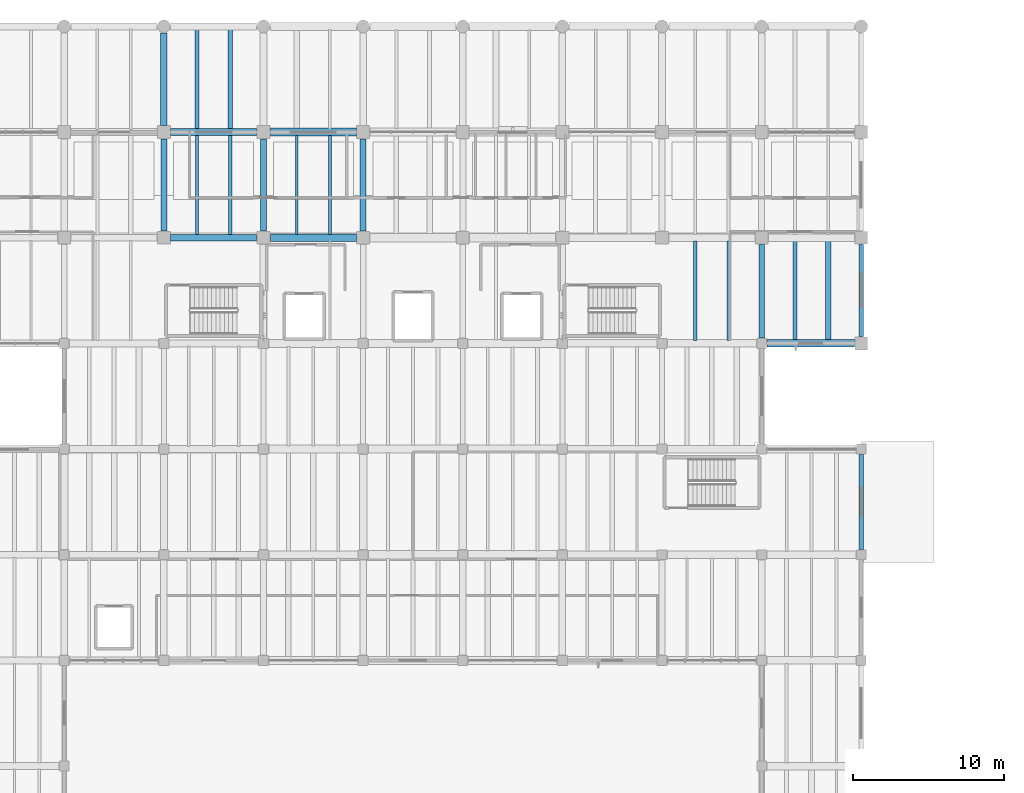
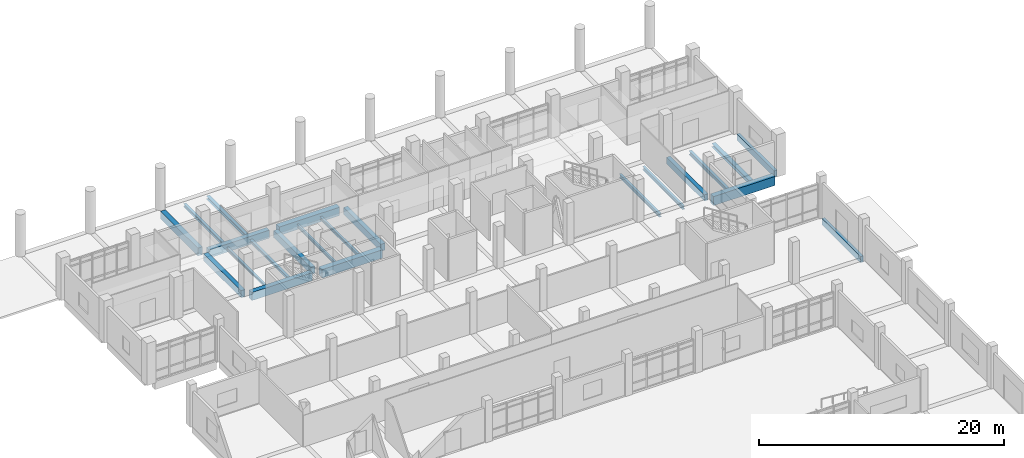
# One storey, part 28 of 69: 22 beams.
"""IFC4 building model written with IfcOpenShell, lengths in metres."""

from ifc_helpers import new_model, si_unit, direction, frame, origin, origin_2d, place, context, subcontext, project, spatial, rectangle, i_section, extrude, material, material_profile, profile_set, type_object, element, save


model = new_model("IFC4")

# Units and contexts
model_context = context("Model", 3, precision=1e-05, world=origin(), true_north=direction((0.0, 1.0)))
body_context = subcontext(model_context, "Body", "Model", "MODEL_VIEW")
ifc_project = project(units=[si_unit("LENGTHUNIT", "METRE"), si_unit("AREAUNIT", "SQUARE_METRE"), si_unit("VOLUMEUNIT", "CUBIC_METRE"), si_unit("PLANEANGLEUNIT", "RADIAN"), si_unit("MASSUNIT", "GRAM", prefix="KILO")], contexts=[model_context])

# Site, building, storey
site_placement = place(None, origin())
site = spatial("IfcSite", under=ifc_project, at=site_placement, CompositionType="ELEMENT")
building_placement = place(site_placement, origin())
building = spatial("IfcBuilding", under=site, at=building_placement, Name="Ciguamira Faculty of Natural Sciences", CompositionType="ELEMENT")
storey_placement = place(building_placement, origin())
storey = spatial("IfcBuildingStorey", under=building, at=storey_placement, Name="L00", CompositionType="ELEMENT", Elevation=0.0)

# Beams
ifc_material_1 = material(Name="Concrete C40/50", Category="concrete")
ifc_material_profile_1 = material_profile(ifc_material_1, rectangle(XDim=0.5, YDim=0.89990234375, at=origin_2d()), Name="RC-BM-500X900")
ifc_profile_set_1 = profile_set([ifc_material_profile_1], Name="Concrete C40/50")
beam_type_1 = type_object("IfcBeamType", Name="RCBeam_BG-03_RC-BM-500X900", PredefinedType="BEAM", material=ifc_profile_set_1)
beam_1_placement = place(storey_placement, frame((110.449951171875, 94.0, -0.449951171875), z_axis=(1.0, 0.0, 0.0), x_axis=(0.0, 1.0, 0.0)))
element("IfcBeam", 1, at=beam_1_placement, inside=storey, type_object=beam_type_1, Name="L00 RC girder EW-0164", PredefinedType="BEAM", context=body_context, shape_type="SweptSolid", body=[
    extrude(rectangle(XDim=0.5, YDim=0.89990234375, at=origin_2d()), origin(), (0.0, 0.0, 1.0), 5.800048828125),
])
ifc_material_profile_2 = material_profile(ifc_material_1, rectangle(XDim=0.449951171875, YDim=0.800048828125, at=origin_2d()), Name="RC-BM-450X800")
ifc_profile_set_2 = profile_set([ifc_material_profile_2], Name="Concrete C40/50")
beam_type_2 = type_object("IfcBeamType", Name="RCBeam_BG-05_RC-BM-450X800", PredefinedType="BEAM", material=ifc_profile_set_2)
for number, where, z_axis, x_axis, name in (
    (2, (70.949951171875, 101.0, -0.39990234375), (1.0, 0.0, 0.0), (0.0, 1.0, 0.0), "L00 RC girder EW-0167"),
    (3, (70.949951171875, 108.0, -0.39990234375), (1.0, 0.0, 0.0), (0.0, 1.0, 0.0), "L00 RC girder EW-0176"),
):
    element("IfcBeam", number, at=place(storey_placement, frame(where, z_axis=z_axis, x_axis=x_axis)), inside=storey, type_object=beam_type_2, Name=name, PredefinedType="BEAM", context=body_context, shape_type="SweptSolid", body=[
        extrude(rectangle(XDim=0.449951171875, YDim=0.800048828125, at=origin_2d()), origin(), (0.0, 0.0, 1.0), 5.699951171875),
    ])
ifc_material_profile_3 = material_profile(ifc_material_1, rectangle(XDim=0.43994140625, YDim=0.780029296875, at=origin_2d()), Name="RC-BM-440X780")
ifc_profile_set_3 = profile_set([ifc_material_profile_3], Name="Concrete C40/50")
beam_type_3 = type_object("IfcBeamType", Name="RCBeam_BG-06_RC-BM-440X780", PredefinedType="BEAM", material=ifc_profile_set_3)
beam_2_placement = place(storey_placement, frame((70.5, 108.449951171875, -0.389892578125), z_axis=(0.0, 1.0, 0.0), x_axis=(-1.0, 0.0, 0.0)))
element("IfcBeam", 4, at=beam_2_placement, inside=storey, type_object=beam_type_3, Name="L00 girder NS-0253", PredefinedType="BEAM", context=body_context, shape_type="SweptSolid", body=[
    extrude(rectangle(XDim=0.43994140625, YDim=0.780029296875, at=origin_2d()), origin(), (0.0, 0.0, 1.0), 6.10009765625),
])
ifc_material_profile_4 = material_profile(ifc_material_1, rectangle(XDim=0.39990234375, YDim=0.699951171875, at=origin_2d()), Name="RC-BM-400X700")
ifc_profile_set_4 = profile_set([ifc_material_profile_4], Name="Concrete C40/50")
beam_type_4 = type_object("IfcBeamType", Name="RCBeam_BG-08_RC-BM-400X700", PredefinedType="BEAM", material=ifc_profile_set_4)
for number, where, z_axis, x_axis, name in (
    (5, (70.5, 101.449951171875, -0.35009765625), (0.0, 1.0, 0.0), (-1.0, 0.0, 0.0), "L00 girder NS-0252"),
    (6, (77.10009765625, 101.449951171875, -0.35009765625), (0.0, 1.0, 0.0), (-1.0, 0.0, 0.0), "L00 girder NS-0263"),
    (7, (83.699951171875, 101.449951171875, -0.35009765625), (0.0, 1.0, 0.0), (-1.0, 0.0, 0.0), "L00 girder NS-0275"),
):
    element("IfcBeam", number, at=place(storey_placement, frame(where, z_axis=z_axis, x_axis=x_axis)), inside=storey, type_object=beam_type_4, Name=name, PredefinedType="BEAM", context=body_context, shape_type="SweptSolid", body=[
        extrude(rectangle(XDim=0.39990234375, YDim=0.699951171875, at=origin_2d()), origin(), (0.0, 0.0, 1.0), 6.10009765625),
    ])
ifc_material_profile_5 = material_profile(ifc_material_1, rectangle(XDim=0.360107421875, YDim=0.639892578125, at=origin_2d()), Name="RC-BM-360X640")
ifc_profile_set_5 = profile_set([ifc_material_profile_5], Name="Concrete C40/50")
beam_type_5 = type_object("IfcBeamType", Name="RCBeam_BG-10_RC-BM-360X640", PredefinedType="BEAM", material=ifc_profile_set_5)
beam_3_placement = place(storey_placement, frame((110.10009765625, 94.35009765625, -0.320068359375), z_axis=(0.0, 1.0, 0.0), x_axis=(-1.0, 0.0, 0.0)))
element("IfcBeam", 8, at=beam_3_placement, inside=storey, type_object=beam_type_5, Name="L00 girder NS-0322", PredefinedType="BEAM", context=body_context, shape_type="SweptSolid", body=[
    extrude(rectangle(XDim=0.360107421875, YDim=0.639892578125, at=origin_2d()), origin(), (0.0, 0.0, 1.0), 6.199951171875),
])
ifc_material_2 = material(Name="Precast concrete C40/50", Category="concrete")
ifc_material_profile_6 = material_profile(ifc_material_2, rectangle(XDim=0.280029296875, YDim=0.6201171875, at=origin_2d()), Name="RC-SP-280X620")
ifc_profile_set_6 = profile_set([ifc_material_profile_6], Name="Precast concrete C40/50")
beam_type_6 = type_object("IfcBeamType", Name="RCBeam_SP-01_RC-SP-280X620", PredefinedType="SPANDREL", material=ifc_profile_set_6)
beam_4_placement = place(storey_placement, frame((116.699951171875, 80.35009765625, -0.31005859375), z_axis=(0.0, 1.0, 0.0), x_axis=(-1.0, 0.0, 0.0)))
element("IfcBeam", 9, at=beam_4_placement, inside=storey, type_object=beam_type_6, Name="L00 girder NS-0334", PredefinedType="SPANDREL", context=body_context, shape_type="SweptSolid", body=[
    extrude(rectangle(XDim=0.280029296875, YDim=0.6201171875, at=origin_2d()), origin(), (0.0, 0.0, 1.0), 6.2998046875),
])
beam_5_placement = place(storey_placement, frame((116.699951171875, 94.449951171875, -0.31005859375), z_axis=(0.0, 1.0, 0.0), x_axis=(-1.0, 0.0, 0.0)))
element("IfcBeam", 10, at=beam_5_placement, inside=storey, type_object=beam_type_6, Name="L00 girder NS-0335", PredefinedType="SPANDREL", context=body_context, shape_type="SweptSolid", body=[
    extrude(rectangle(XDim=0.280029296875, YDim=0.6201171875, at=origin_2d()), origin(), (0.0, 0.0, 1.0), 6.10009765625),
])
ifc_material_profile_7 = material_profile(ifc_material_1, rectangle(XDim=0.52001953125, YDim=0.840087890625, at=origin_2d()), Name="RC-TB-520X840")
ifc_profile_set_7 = profile_set([ifc_material_profile_7], Name="Concrete C40/50")
beam_type_7 = type_object("IfcBeamType", Name="RCBeam_TB-02_RC-TB-520X840", PredefinedType="T_BEAM", material=ifc_profile_set_7)
for number, where, z_axis, x_axis, name in (
    (11, (77.550048828125, 101.0, -0.419921875), (1.0, 0.0, 0.0), (0.0, 1.0, 0.0), "L00 RC girder EW-0168"),
    (12, (77.550048828125, 108.0, -0.419921875), (1.0, 0.0, 0.0), (0.0, 1.0, 0.0), "L00 RC girder EW-0177"),
):
    element("IfcBeam", number, at=place(storey_placement, frame(where, z_axis=z_axis, x_axis=x_axis)), inside=storey, type_object=beam_type_7, Name=name, PredefinedType="T_BEAM", context=body_context, shape_type="SweptSolid", body=[
        extrude(rectangle(XDim=0.52001953125, YDim=0.840087890625, at=origin_2d()), origin(), (0.0, 0.0, 1.0), 5.699951171875),
    ])
ifc_material_3 = material(Name="Steel ASTM A992 Grade 50", Category="steel")
ifc_material_profile_8 = material_profile(ifc_material_3, i_section(OverallWidth=0.2021484375, OverallDepth=0.2470703125, WebThickness=0.00732421875, FlangeThickness=0.010986328125, at=origin_2d()), Name="W10X33")
ifc_profile_set_8 = profile_set([ifc_material_profile_8], Name="Steel ASTM A992 Grade 50")
beam_type_8 = type_object("IfcBeamType", Name="SteelJoist_SJ-02_W10X33", PredefinedType="JOIST", material=ifc_profile_set_8)
beam_6_placement = place(storey_placement, frame((72.699951171875, 101.18505859375, -0.423583984375), z_axis=(0.0, 1.0, 0.0), x_axis=(-1.0, 0.0, 0.0)))
element("IfcBeam", 13, at=beam_6_placement, inside=storey, type_object=beam_type_8, Name="L00 composite steel joist 00142", PredefinedType="JOIST", context=body_context, shape_type="SweptSolid", body=[
    extrude(i_section(OverallWidth=0.2021484375, OverallDepth=0.2470703125, WebThickness=0.00732421875, FlangeThickness=0.010986328125, at=origin_2d()), origin(), (0.0, 0.0, 1.0), 6.6298828125),
])
ifc_material_profile_9 = material_profile(ifc_material_3, i_section(OverallWidth=0.25390625, OverallDepth=0.25390625, WebThickness=0.008544921875, FlangeThickness=0.01416015625, at=origin_2d()), Name="W10X49")
ifc_profile_set_9 = profile_set([ifc_material_profile_9], Name="Steel ASTM A992 Grade 50")
beam_type_9 = type_object("IfcBeamType", Name="SteelJoist_SJ-03_W10X49", PredefinedType="JOIST", material=ifc_profile_set_9)
beam_7_placement = place(storey_placement, frame((74.89990234375, 101.18505859375, -0.427001953125), z_axis=(0.0, 1.0, 0.0), x_axis=(-1.0, 0.0, 0.0)))
element("IfcBeam", 14, at=beam_7_placement, inside=storey, type_object=beam_type_9, Name="L00 composite steel joist 00143", PredefinedType="JOIST", context=body_context, shape_type="SweptSolid", body=[
    extrude(i_section(OverallWidth=0.25390625, OverallDepth=0.25390625, WebThickness=0.008544921875, FlangeThickness=0.01416015625, at=origin_2d()), origin(), (0.0, 0.0, 1.0), 6.6298828125),
])
ifc_material_profile_10 = material_profile(ifc_material_3, i_section(OverallWidth=0.16650390625, OverallDepth=0.3173828125, WebThickness=0.007568359375, FlangeThickness=0.01318359375, at=origin_2d()), Name="W12X35")
ifc_profile_set_10 = profile_set([ifc_material_profile_10], Name="Steel ASTM A992 Grade 50")
beam_type_10 = type_object("IfcBeamType", Name="SteelJoist_SJ-05_W12X35", PredefinedType="JOIST", material=ifc_profile_set_10)
beam_8_placement = place(storey_placement, frame((79.300048828125, 101.219970703125, -0.458740234375), z_axis=(0.0, 1.0, 0.0), x_axis=(-1.0, 0.0, 0.0)))
element("IfcBeam", 15, at=beam_8_placement, inside=storey, type_object=beam_type_10, Name="L00 composite steel joist 00168", PredefinedType="JOIST", context=body_context, shape_type="SweptSolid", body=[
    extrude(i_section(OverallWidth=0.16650390625, OverallDepth=0.3173828125, WebThickness=0.007568359375, FlangeThickness=0.01318359375, at=origin_2d()), origin(), (0.0, 0.0, 1.0), 6.56005859375),
])
ifc_material_profile_11 = material_profile(ifc_material_3, i_section(OverallWidth=0.20458984375, OverallDepth=0.307373046875, WebThickness=0.008544921875, FlangeThickness=0.0146484375, at=origin_2d()), Name="W12X45")
ifc_profile_set_11 = profile_set([ifc_material_profile_11], Name="Steel ASTM A992 Grade 50")
beam_type_11 = type_object("IfcBeamType", Name="SteelJoist_SJ-06_W12X45", PredefinedType="JOIST", material=ifc_profile_set_11)
beam_9_placement = place(storey_placement, frame((81.5, 101.219970703125, -0.45361328125), z_axis=(0.0, 1.0, 0.0), x_axis=(-1.0, 0.0, 0.0)))
element("IfcBeam", 16, at=beam_9_placement, inside=storey, type_object=beam_type_11, Name="L00 composite steel joist 00169", PredefinedType="JOIST", context=body_context, shape_type="SweptSolid", body=[
    extrude(i_section(OverallWidth=0.20458984375, OverallDepth=0.307373046875, WebThickness=0.008544921875, FlangeThickness=0.0146484375, at=origin_2d()), origin(), (0.0, 0.0, 1.0), 6.56005859375),
])
ifc_material_profile_12 = material_profile(ifc_material_3, i_section(OverallWidth=0.25390625, OverallDepth=0.307373046875, WebThickness=0.0087890625, FlangeThickness=0.0146484375, at=origin_2d()), Name="W12X53")
ifc_profile_set_12 = profile_set([ifc_material_profile_12], Name="Steel ASTM A992 Grade 50")
beam_type_12 = type_object("IfcBeamType", Name="SteelJoist_SJ-07_W12X53", PredefinedType="JOIST", material=ifc_profile_set_12)
beam_10_placement = place(storey_placement, frame((72.699951171875, 108.18505859375, -0.353759765625), z_axis=(0.0, 1.0, 0.0), x_axis=(-1.0, 0.0, 0.0)))
element("IfcBeam", 17, at=beam_10_placement, inside=storey, type_object=beam_type_12, Name="L00 composite steel joist 00144", PredefinedType="JOIST", context=body_context, shape_type="SweptSolid", body=[
    extrude(i_section(OverallWidth=0.25390625, OverallDepth=0.307373046875, WebThickness=0.0087890625, FlangeThickness=0.0146484375, at=origin_2d()), origin(), (0.0, 0.0, 1.0), 6.6298828125),
])
ifc_material_profile_13 = material_profile(ifc_material_3, i_section(OverallWidth=0.3046875, OverallDepth=0.307373046875, WebThickness=0.010009765625, FlangeThickness=0.015380859375, at=origin_2d()), Name="W12X65")
ifc_profile_set_13 = profile_set([ifc_material_profile_13], Name="Steel ASTM A992 Grade 50")
beam_type_13 = type_object("IfcBeamType", Name="SteelJoist_SJ-08_W12X65", PredefinedType="JOIST", material=ifc_profile_set_13)
beam_11_placement = place(storey_placement, frame((74.89990234375, 108.18505859375, -0.353759765625), z_axis=(0.0, 1.0, 0.0), x_axis=(-1.0, 0.0, 0.0)))
element("IfcBeam", 18, at=beam_11_placement, inside=storey, type_object=beam_type_13, Name="L00 composite steel joist 00145", PredefinedType="JOIST", context=body_context, shape_type="SweptSolid", body=[
    extrude(i_section(OverallWidth=0.3046875, OverallDepth=0.307373046875, WebThickness=0.010009765625, FlangeThickness=0.015380859375, at=origin_2d()), origin(), (0.0, 0.0, 1.0), 6.6298828125),
])
ifc_material_profile_14 = material_profile(ifc_material_3, i_section(OverallWidth=0.203125, OverallDepth=0.347900390625, WebThickness=0.0078125, FlangeThickness=0.013427734375, at=origin_2d()), Name="W14X43")
ifc_profile_set_14 = profile_set([ifc_material_profile_14], Name="Steel ASTM A992 Grade 50")
beam_type_14 = type_object("IfcBeamType", Name="SteelJoist_SJ-12_W14X43", PredefinedType="JOIST", material=ifc_profile_set_14)
beam_12_placement = place(storey_placement, frame((105.699951171875, 94.2099609375, -0.47412109375), z_axis=(0.0, 1.0, 0.0), x_axis=(-1.0, 0.0, 0.0)))
element("IfcBeam", 19, at=beam_12_placement, inside=storey, type_object=beam_type_14, Name="L00 composite steel joist 00269", PredefinedType="JOIST", context=body_context, shape_type="SweptSolid", body=[
    extrude(i_section(OverallWidth=0.203125, OverallDepth=0.347900390625, WebThickness=0.0078125, FlangeThickness=0.013427734375, at=origin_2d()), origin(), (0.0, 0.0, 1.0), 6.580078125),
])
ifc_material_profile_15 = material_profile(ifc_material_3, i_section(OverallWidth=0.204833984375, OverallDepth=0.35302734375, WebThickness=0.00927734375, FlangeThickness=0.016845703125, at=origin_2d()), Name="W14X53")
ifc_profile_set_15 = profile_set([ifc_material_profile_15], Name="Steel ASTM A992 Grade 50")
beam_type_15 = type_object("IfcBeamType", Name="SteelJoist_SJ-13_W14X53", PredefinedType="JOIST", material=ifc_profile_set_15)
beam_13_placement = place(storey_placement, frame((107.89990234375, 94.2099609375, -0.4765625), z_axis=(0.0, 1.0, 0.0), x_axis=(-1.0, 0.0, 0.0)))
element("IfcBeam", 20, at=beam_13_placement, inside=storey, type_object=beam_type_15, Name="L00 composite steel joist 00270", PredefinedType="JOIST", context=body_context, shape_type="SweptSolid", body=[
    extrude(i_section(OverallWidth=0.204833984375, OverallDepth=0.35302734375, WebThickness=0.00927734375, FlangeThickness=0.016845703125, at=origin_2d()), origin(), (0.0, 0.0, 1.0), 6.580078125),
])
ifc_material_profile_16 = material_profile(ifc_material_3, i_section(OverallWidth=0.256591796875, OverallDepth=0.36328125, WebThickness=0.012939453125, FlangeThickness=0.021728515625, at=origin_2d()), Name="W14X82")
ifc_profile_set_16 = profile_set([ifc_material_profile_16], Name="Steel ASTM A992 Grade 50")
beam_type_16 = type_object("IfcBeamType", Name="SteelJoist_SJ-15_W14X82", PredefinedType="JOIST", material=ifc_profile_set_16)
beam_14_placement = place(storey_placement, frame((112.300048828125, 94.2099609375, -0.481689453125), z_axis=(0.0, 1.0, 0.0), x_axis=(-1.0, 0.0, 0.0)))
element("IfcBeam", 21, at=beam_14_placement, inside=storey, type_object=beam_type_16, Name="L00 composite steel joist 00299", PredefinedType="JOIST", context=body_context, shape_type="SweptSolid", body=[
    extrude(i_section(OverallWidth=0.256591796875, OverallDepth=0.36328125, WebThickness=0.012939453125, FlangeThickness=0.021728515625, at=origin_2d()), origin(), (0.0, 0.0, 1.0), 6.580078125),
])
ifc_material_profile_17 = material_profile(ifc_material_3, i_section(OverallWidth=0.368408203125, OverallDepth=0.355712890625, WebThickness=0.01123046875, FlangeThickness=0.01806640625, at=origin_2d()), Name="W14X90")
ifc_profile_set_17 = profile_set([ifc_material_profile_17], Name="Steel ASTM A992 Grade 50")
beam_type_17 = type_object("IfcBeamType", Name="SteelJoist_SJ-16_W14X90", PredefinedType="JOIST", material=ifc_profile_set_17)
beam_15_placement = place(storey_placement, frame((114.5, 94.2099609375, -0.477783203125), z_axis=(0.0, 1.0, 0.0), x_axis=(-1.0, 0.0, 0.0)))
element("IfcBeam", 22, at=beam_15_placement, inside=storey, type_object=beam_type_17, Name="L00 composite steel joist 00300", PredefinedType="JOIST", context=body_context, shape_type="SweptSolid", body=[
    extrude(i_section(OverallWidth=0.368408203125, OverallDepth=0.355712890625, WebThickness=0.01123046875, FlangeThickness=0.01806640625, at=origin_2d()), origin(), (0.0, 0.0, 1.0), 6.580078125),
])

save(model, "model.ifc")
